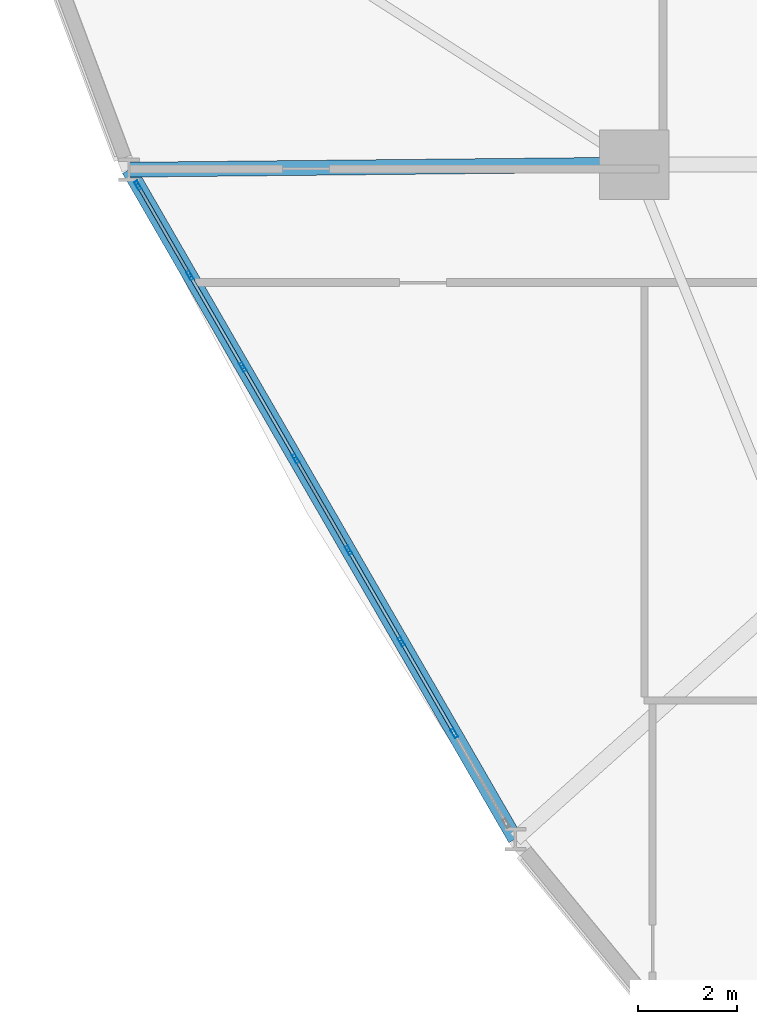
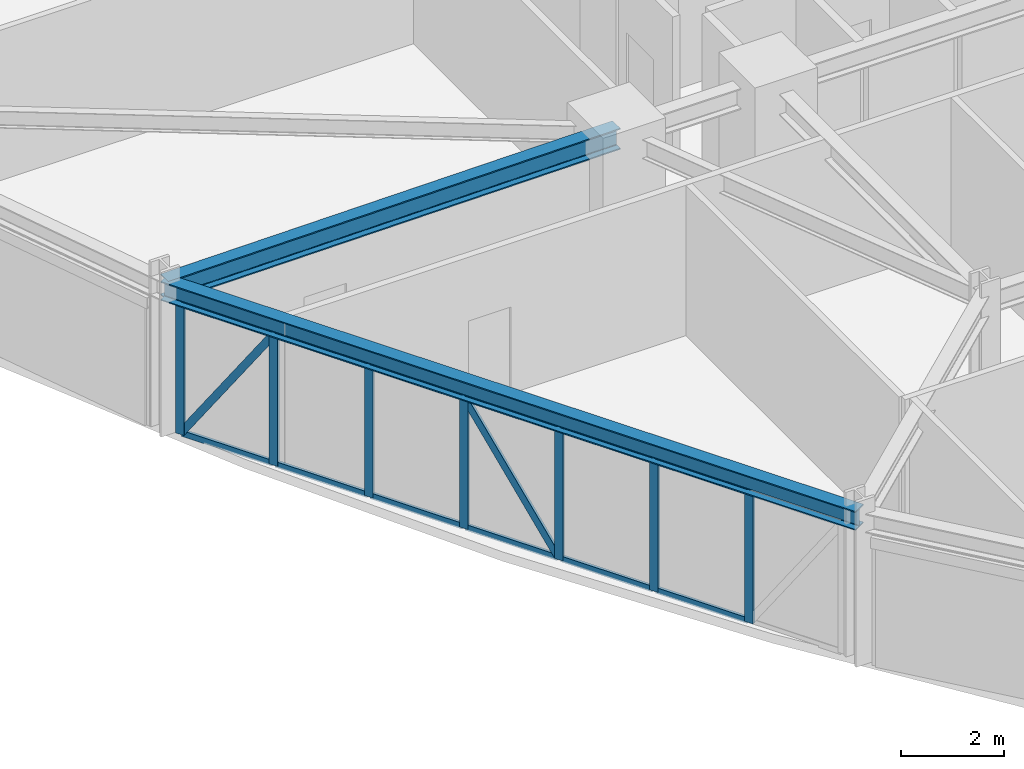
# One storey, part 4 of 22: 21 members, 2 beams, 1 element without a shape of its own.
"""IFC4 building model written with IfcOpenShell, lengths in metres."""

from ifc_helpers import new_model, si_unit, derived_unit, direction, frame, origin, origin_2d, place, context, subcontext, project, spatial, hollow_rectangle, i_section, extrude, source, transform, mapped, material, layer, layer_set, material_profile, profile_set, type_object, element, aggregate, save


model = new_model("IFC4")

# Units and contexts
model_context = context("Model", 3, precision=1e-05, world=origin(), true_north=direction((0.0, 1.0)))
body_context = subcontext(model_context, "Body", "Model", "MODEL_VIEW")
ifc_project = project(units=[si_unit("LENGTHUNIT", "METRE"), si_unit("AREAUNIT", "SQUARE_METRE"), si_unit("VOLUMEUNIT", "CUBIC_METRE"), si_unit("PLANEANGLEUNIT", "RADIAN"), si_unit("MASSUNIT", "GRAM", prefix="KILO"), derived_unit("THERMALTRANSMITTANCEUNIT", [(si_unit("POWERUNIT", "WATT"), 1), (si_unit("LENGTHUNIT", "METRE"), -2), (si_unit("THERMODYNAMICTEMPERATUREUNIT", "KELVIN"), -1)])], contexts=[model_context])

# Site, building, storey
site_placement = place(None, origin())
site = spatial("IfcSite", under=ifc_project, at=site_placement, CompositionType="ELEMENT")
building_placement = place(site_placement, origin())
building = spatial("IfcBuilding", under=site, at=building_placement, Name="Korsvarv Bourse and Concert Hall", CompositionType="ELEMENT")
storey_placement = place(building_placement, frame((0.0, 0.0, 55.199951171875)))
storey = spatial("IfcBuildingStorey", under=building, at=storey_placement, Name="L13", CompositionType="ELEMENT", Elevation=55.199951171875)

# Beams
ifc_material_1 = material(Name="Steel S355", Category="steel")
ifc_material_profile_1 = material_profile(ifc_material_1, i_section(OverallWidth=0.300048828125, OverallDepth=0.449951171875, WebThickness=0.013916015625, FlangeThickness=0.02587890625, FilletRadius=0.02099609375, at=origin_2d()), Name="HEB 450")
ifc_profile_set_1 = profile_set([ifc_material_profile_1], Name="Steel S355")
beam_type_1 = type_object("IfcBeamType", Name="BM-HEB450", PredefinedType="SPANDREL", material=ifc_profile_set_1)
shared_shape_1 = source(origin(), body_context, "Body", "SweptSolid", [
    extrude(i_section(OverallWidth=0.300048828125, OverallDepth=0.449951171875, WebThickness=0.013916015625, FlangeThickness=0.02587890625, FilletRadius=0.02099609375, at=origin_2d()), origin(), (0.0, 0.0, 1.0), 15.569580078125),
])
beam_1_placement = place(storey_placement, frame((14.016845703125, 32.297119140625, 3.3349609375), z_axis=(0.499994378262, -0.866028649472, 0.0), x_axis=(0.866028649472, 0.499994378262, 0.0)))
element("IfcBeam", 1, at=beam_1_placement, inside=storey, type_object=beam_type_1, Name="L13 beam B-08", PredefinedType="SPANDREL", context=body_context, shape_type="MappedRepresentation", body=[
    mapped(shared_shape_1, transform((0.0, 0.0, 0.0), scale=1.0)),
])
ifc_material_profile_2 = material_profile(ifc_material_1, i_section(OverallWidth=0.300048828125, OverallDepth=0.5, WebThickness=0.014404296875, FlangeThickness=0.028076171875, FilletRadius=0.02392578125, at=origin_2d()), Name="HEB 500")
ifc_profile_set_2 = profile_set([ifc_material_profile_2], Name="Steel S355")
beam_type_2 = type_object("IfcBeamType", Name="BM-HEB500", PredefinedType="BEAM", material=ifc_profile_set_2)
shared_shape_2 = source(origin(), body_context, "Body", "SweptSolid", [
    extrude(i_section(OverallWidth=0.300048828125, OverallDepth=0.5, WebThickness=0.014404296875, FlangeThickness=0.028076171875, FilletRadius=0.02392578125, at=origin_2d()), origin(), (0.0, 0.0, 1.0), 10.18359375),
])
beam_2_placement = place(storey_placement, frame((14.016845703125, 32.297119140625, 3.31005859375), z_axis=(0.999949064493, 0.010092988639, 0.0), x_axis=(-0.010092988639, 0.999949064493, 0.0)))
element("IfcBeam", 2, at=beam_2_placement, inside=storey, type_object=beam_type_2, Name="L13 beam B-07", PredefinedType="BEAM", context=body_context, shape_type="MappedRepresentation", body=[
    mapped(shared_shape_2, transform((0.0, 0.0, 0.0), scale=1.0)),
])

# Curtain wall, members
ifc_material_2 = material(Name="Anodised aluminium and triple low-E glazing", Category="glass")
ifc_layer = layer(ifc_material_2, 0.219970703125)
ifc_layer_set = layer_set([ifc_layer], Name="Anodised aluminium and triple low-E glazing")
curtain_wall_type = type_object("IfcCurtainWallType", Name="CW-SYS-1", PredefinedType="NOTDEFINED", material=ifc_layer_set)
curtain_wall_placement = place(storey_placement, origin())
curtain_wall = element("IfcCurtainWall", 3, at=curtain_wall_placement, inside=storey, type_object=curtain_wall_type, Name="L13 CW1 curtain wall CW-L13-F07", PredefinedType="NOTDEFINED")
ifc_material_3 = material(Name="Extruded aluminium EN AW-6063 T66", Category="aluminium")
ifc_material_profile_3 = material_profile(ifc_material_3, hollow_rectangle(XDim=0.06494140625, YDim=0.139892578125, WallThickness=0.00390625, at=origin_2d()), Name="ALU-T 65x140")
ifc_profile_set_3 = profile_set([ifc_material_profile_3], Name="Extruded aluminium EN AW-6063 T66")
member_type_1 = type_object("IfcMemberType", Name="CWT-140", PredefinedType="USERDEFINED", material=ifc_profile_set_3)
shared_shape_3 = source(origin(), body_context, "Body", "SweptSolid", [
    extrude(hollow_rectangle(XDim=0.06494140625, YDim=0.139892578125, WallThickness=0.00390625, at=origin_2d()), origin(), (0.0, 0.0, 1.0), 2.024658203125),
])
member_1_placement = place(storey_placement, frame((14.217529296875, 31.949462890625, 0.032470703125), z_axis=(0.499952099219, -0.866053057547, 0.0), x_axis=(0.866053057547, 0.499952099219, 0.0)))
member_1 = element("IfcMember", 4, at=member_1_placement, type_object=member_type_1, Name="CW1 transom 1.1", ObjectType="TRANSOM", PredefinedType="USERDEFINED", context=body_context, shape_type="MappedRepresentation", body=[
    mapped(shared_shape_3, transform((0.0, 0.0, 0.0), scale=1.0)),
])
member_2_placement = place(storey_placement, frame((14.217529296875, 31.949462890625, 3.07763671875), z_axis=(0.499952099219, -0.866053057547, 0.0), x_axis=(0.866053057547, 0.499952099219, 0.0)))
member_2 = element("IfcMember", 5, at=member_2_placement, type_object=member_type_1, Name="CW1 transom 1.2", ObjectType="TRANSOM", PredefinedType="USERDEFINED", context=body_context, shape_type="MappedRepresentation", body=[
    mapped(shared_shape_3, transform((0.0, 0.0, 0.0), scale=1.0)),
])
shared_shape_4 = source(origin(), body_context, "Body", "SweptSolid", [
    extrude(hollow_rectangle(XDim=0.06494140625, YDim=0.139892578125, WallThickness=0.00390625, at=origin_2d()), origin(), (0.0, 0.0, 1.0), 2.0595703125),
])
member_3_placement = place(storey_placement, frame((15.2646484375, 30.135498046875, 0.032470703125), z_axis=(0.499989236795, -0.866031617834, 0.0), x_axis=(0.866031617834, 0.499989236795, 0.0)))
member_3 = element("IfcMember", 6, at=member_3_placement, type_object=member_type_1, Name="CW1 transom 2.1", ObjectType="TRANSOM", PredefinedType="USERDEFINED", context=body_context, shape_type="MappedRepresentation", body=[
    mapped(shared_shape_4, transform((0.0, 0.0, 0.0), scale=1.0)),
])
member_4_placement = place(storey_placement, frame((15.2646484375, 30.135498046875, 3.07763671875), z_axis=(0.499989236795, -0.866031617834, 0.0), x_axis=(0.866031617834, 0.499989236795, 0.0)))
member_4 = element("IfcMember", 7, at=member_4_placement, type_object=member_type_1, Name="CW1 transom 2.2", ObjectType="TRANSOM", PredefinedType="USERDEFINED", context=body_context, shape_type="MappedRepresentation", body=[
    mapped(shared_shape_4, transform((0.0, 0.0, 0.0), scale=1.0)),
])
member_5_placement = place(storey_placement, frame((16.32958984375, 28.291259765625, 0.032470703125), z_axis=(0.499989236795, -0.866031617834, 0.0), x_axis=(0.866031617834, 0.499989236795, 0.0)))
member_5 = element("IfcMember", 8, at=member_5_placement, type_object=member_type_1, Name="CW1 transom 3.1", ObjectType="TRANSOM", PredefinedType="USERDEFINED", context=body_context, shape_type="MappedRepresentation", body=[
    mapped(shared_shape_4, transform((0.0, 0.0, 0.0), scale=1.0)),
])
member_6_placement = place(storey_placement, frame((16.32958984375, 28.291259765625, 3.07763671875), z_axis=(0.499989236795, -0.866031617834, 0.0), x_axis=(0.866031617834, 0.499989236795, 0.0)))
member_6 = element("IfcMember", 9, at=member_6_placement, type_object=member_type_1, Name="CW1 transom 3.2", ObjectType="TRANSOM", PredefinedType="USERDEFINED", context=body_context, shape_type="MappedRepresentation", body=[
    mapped(shared_shape_4, transform((0.0, 0.0, 0.0), scale=1.0)),
])
shared_shape_5 = source(origin(), body_context, "Body", "SweptSolid", [
    extrude(hollow_rectangle(XDim=0.06494140625, YDim=0.139892578125, WallThickness=0.00390625, at=origin_2d()), origin(), (0.0, 0.0, 1.0), 2.059326171875),
])
member_7_placement = place(storey_placement, frame((17.394287109375, 26.447021484375, 0.032470703125), z_axis=(0.500040568494, -0.866001980287, 0.0), x_axis=(0.866001980287, 0.500040568494, 0.0)))
member_7 = element("IfcMember", 10, at=member_7_placement, type_object=member_type_1, Name="CW1 transom 4.1", ObjectType="TRANSOM", PredefinedType="USERDEFINED", context=body_context, shape_type="MappedRepresentation", body=[
    mapped(shared_shape_5, transform((0.0, 0.0, 0.0), scale=1.0)),
])
member_8_placement = place(storey_placement, frame((17.394287109375, 26.447021484375, 3.07763671875), z_axis=(0.500040568494, -0.866001980287, 0.0), x_axis=(0.866001980287, 0.500040568494, 0.0)))
member_8 = element("IfcMember", 11, at=member_8_placement, type_object=member_type_1, Name="CW1 transom 4.2", ObjectType="TRANSOM", PredefinedType="USERDEFINED", context=body_context, shape_type="MappedRepresentation", body=[
    mapped(shared_shape_5, transform((0.0, 0.0, 0.0), scale=1.0)),
])
member_9_placement = place(storey_placement, frame((18.458984375, 24.602783203125, 0.032470703125), z_axis=(0.500040568494, -0.866001980287, 0.0), x_axis=(0.866001980287, 0.500040568494, 0.0)))
member_9 = element("IfcMember", 12, at=member_9_placement, type_object=member_type_1, Name="CW1 transom 5.1", ObjectType="TRANSOM", PredefinedType="USERDEFINED", context=body_context, shape_type="MappedRepresentation", body=[
    mapped(shared_shape_5, transform((0.0, 0.0, 0.0), scale=1.0)),
])
member_10_placement = place(storey_placement, frame((18.458984375, 24.602783203125, 3.07763671875), z_axis=(0.500040568494, -0.866001980287, 0.0), x_axis=(0.866001980287, 0.500040568494, 0.0)))
member_10 = element("IfcMember", 13, at=member_10_placement, type_object=member_type_1, Name="CW1 transom 5.2", ObjectType="TRANSOM", PredefinedType="USERDEFINED", context=body_context, shape_type="MappedRepresentation", body=[
    mapped(shared_shape_5, transform((0.0, 0.0, 0.0), scale=1.0)),
])
member_11_placement = place(storey_placement, frame((19.523681640625, 22.758544921875, 0.032470703125), z_axis=(0.500040568494, -0.866001980287, 0.0), x_axis=(0.866001980287, 0.500040568494, 0.0)))
member_11 = element("IfcMember", 14, at=member_11_placement, type_object=member_type_1, Name="CW1 transom 6.1", ObjectType="TRANSOM", PredefinedType="USERDEFINED", context=body_context, shape_type="MappedRepresentation", body=[
    mapped(shared_shape_5, transform((0.0, 0.0, 0.0), scale=1.0)),
])
member_12_placement = place(storey_placement, frame((19.523681640625, 22.758544921875, 3.07763671875), z_axis=(0.500040568494, -0.866001980287, 0.0), x_axis=(0.866001980287, 0.500040568494, 0.0)))
member_12 = element("IfcMember", 15, at=member_12_placement, type_object=member_type_1, Name="CW1 transom 6.2", ObjectType="TRANSOM", PredefinedType="USERDEFINED", context=body_context, shape_type="MappedRepresentation", body=[
    mapped(shared_shape_5, transform((0.0, 0.0, 0.0), scale=1.0)),
])
ifc_material_profile_4 = material_profile(ifc_material_3, hollow_rectangle(XDim=0.070068359375, YDim=0.18994140625, WallThickness=0.0048828125, at=origin_2d()), Name="ALU-M 70x190")
ifc_profile_set_4 = profile_set([ifc_material_profile_4], Name="Extruded aluminium EN AW-6063 T66")
member_type_2 = type_object("IfcMemberType", Name="CWM-190", PredefinedType="MULLION", material=ifc_profile_set_4)
shared_shape_6 = source(origin(), body_context, "Body", "SweptSolid", [
    extrude(hollow_rectangle(XDim=0.070068359375, YDim=0.18994140625, WallThickness=0.0048828125, at=origin_2d()), origin(), (0.0, 0.0, 1.0), 3.110107421875),
])
member_13_placement = place(storey_placement, frame((14.199951171875, 31.979736328125, 0.0), z_axis=(0.0, 0.0, 1.0), x_axis=(0.866025499647, 0.499999833962, 0.0)))
member_13 = element("IfcMember", 16, at=member_13_placement, type_object=member_type_2, Name="CW1 mullion 1", PredefinedType="MULLION", context=body_context, shape_type="MappedRepresentation", body=[
    mapped(shared_shape_6, transform((0.0, 0.0, 0.0), scale=1.0)),
])
member_14_placement = place(storey_placement, frame((15.247314453125, 30.165771484375, 0.0), z_axis=(0.0, 0.0, 1.0), x_axis=(0.866025499647, 0.499999833962, 0.0)))
member_14 = element("IfcMember", 17, at=member_14_placement, type_object=member_type_2, Name="CW1 mullion 2", PredefinedType="MULLION", context=body_context, shape_type="MappedRepresentation", body=[
    mapped(shared_shape_6, transform((0.0, 0.0, 0.0), scale=1.0)),
])
member_15_placement = place(storey_placement, frame((16.31201171875, 28.321533203125, 0.0), z_axis=(0.0, 0.0, 1.0), x_axis=(0.866025499647, 0.499999833962, 0.0)))
member_15 = element("IfcMember", 18, at=member_15_placement, type_object=member_type_2, Name="CW1 mullion 3", PredefinedType="MULLION", context=body_context, shape_type="MappedRepresentation", body=[
    mapped(shared_shape_6, transform((0.0, 0.0, 0.0), scale=1.0)),
])
member_16_placement = place(storey_placement, frame((17.376708984375, 26.477294921875, 0.0), z_axis=(0.0, 0.0, 1.0), x_axis=(0.866025499647, 0.499999833962, 0.0)))
member_16 = element("IfcMember", 19, at=member_16_placement, type_object=member_type_2, Name="CW1 mullion 4", PredefinedType="MULLION", context=body_context, shape_type="MappedRepresentation", body=[
    mapped(shared_shape_6, transform((0.0, 0.0, 0.0), scale=1.0)),
])
member_17_placement = place(storey_placement, frame((18.441650390625, 24.633056640625, 0.0), z_axis=(0.0, 0.0, 1.0), x_axis=(0.866025499647, 0.499999833962, 0.0)))
member_17 = element("IfcMember", 20, at=member_17_placement, type_object=member_type_2, Name="CW1 mullion 5", PredefinedType="MULLION", context=body_context, shape_type="MappedRepresentation", body=[
    mapped(shared_shape_6, transform((0.0, 0.0, 0.0), scale=1.0)),
])
member_18_placement = place(storey_placement, frame((19.50634765625, 22.788818359375, 0.0), z_axis=(0.0, 0.0, 1.0), x_axis=(0.866025499647, 0.499999833962, 0.0)))
member_18 = element("IfcMember", 21, at=member_18_placement, type_object=member_type_2, Name="CW1 mullion 6", PredefinedType="MULLION", context=body_context, shape_type="MappedRepresentation", body=[
    mapped(shared_shape_6, transform((0.0, 0.0, 0.0), scale=1.0)),
])
member_19_placement = place(storey_placement, frame((20.571044921875, 20.94482421875, 0.0), z_axis=(0.0, 0.0, 1.0), x_axis=(0.866025499647, 0.499999833962, 0.0)))
member_19 = element("IfcMember", 22, at=member_19_placement, type_object=member_type_2, Name="CW1 mullion 7", PredefinedType="MULLION", context=body_context, shape_type="MappedRepresentation", body=[
    mapped(shared_shape_6, transform((0.0, 0.0, 0.0), scale=1.0)),
])
ifc_material_profile_5 = material_profile(ifc_material_3, hollow_rectangle(XDim=0.06494140625, YDim=0.1650390625, WallThickness=0.0048828125, at=origin_2d()), Name="ALU-M 65x165")
ifc_profile_set_5 = profile_set([ifc_material_profile_5], Name="Extruded aluminium EN AW-6063 T66")
member_type_3 = type_object("IfcMemberType", Name="CWM-165", PredefinedType="MULLION", material=ifc_profile_set_5)
shared_shape_7 = source(origin(), body_context, "Body", "SweptSolid", [
    extrude(hollow_rectangle(XDim=0.06494140625, YDim=0.1650390625, WallThickness=0.0048828125, at=origin_2d()), origin(), (0.0, 0.0, 1.0), 3.602783203125),
])
member_20_placement = place(storey_placement, frame((14.217529296875, 31.949462890625, 0.06494140625), z_axis=(0.280943517597, -0.486670608631, 0.82717740456), x_axis=(0.866053057547, 0.499952099219, 0.0)))
member_20 = element("IfcMember", 23, at=member_20_placement, type_object=member_type_3, Name="CW1 diagonal mullion 1", PredefinedType="MULLION", context=body_context, shape_type="MappedRepresentation", body=[
    mapped(shared_shape_7, transform((0.0, 0.0, 0.0), scale=1.0)),
])
shared_shape_8 = source(origin(), body_context, "Body", "SweptSolid", [
    extrude(hollow_rectangle(XDim=0.06494140625, YDim=0.1650390625, WallThickness=0.0048828125, at=origin_2d()), origin(), (0.0, 0.0, 1.0), 3.62255859375),
])
member_21_placement = place(storey_placement, frame((18.424072265625, 24.66357421875, 0.06494140625), z_axis=(-0.284270663429, 0.492317969737, 0.822686578587), x_axis=(-0.866001980287, -0.500040568494, 0.0)))
member_21 = element("IfcMember", 24, at=member_21_placement, type_object=member_type_3, Name="CW1 diagonal mullion 4", PredefinedType="MULLION", context=body_context, shape_type="MappedRepresentation", body=[
    mapped(shared_shape_8, transform((0.0, 0.0, 0.0), scale=1.0)),
])
aggregate(curtain_wall, [member_13, member_14, member_15, member_16, member_17, member_18, member_19, member_1, member_2, member_20, member_3, member_4, member_5, member_6, member_7, member_8, member_21, member_9, member_10, member_11, member_12])

save(model, "model.ifc")
